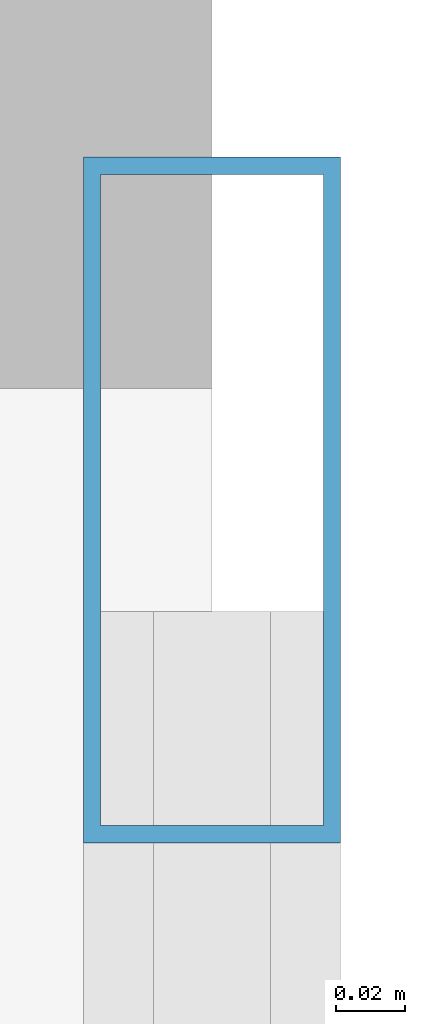
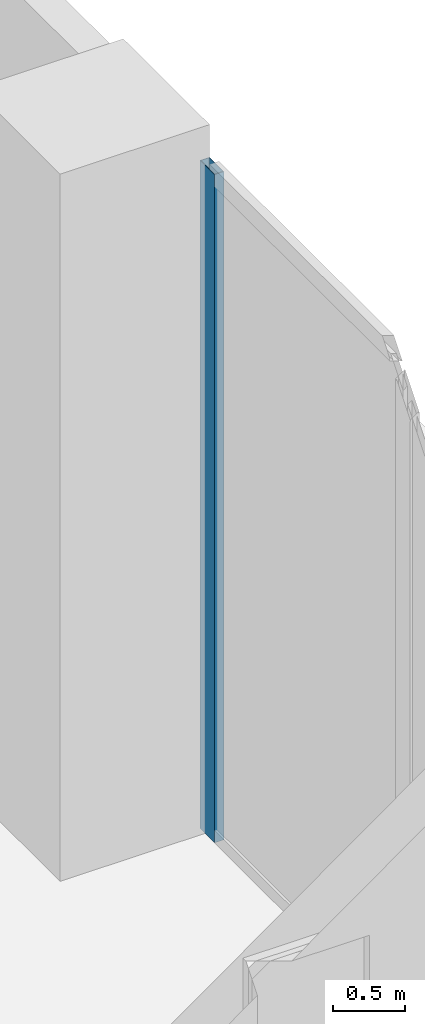
# One storey, part 15 of 26: 1 member, 1 element without a shape of its own.
"""IFC4 building model written with IfcOpenShell, lengths in metres."""

from ifc_helpers import new_model, si_unit, direction, frame, origin, origin_2d, place, context, subcontext, project, spatial, hollow_rectangle, extrude, material, layer, layer_set, material_profile, profile_set, type_object, element, aggregate, save


model = new_model("IFC4")

# Units and contexts
model_context = context("Model", 3, precision=1e-05, world=origin(), true_north=direction((0.0, 1.0)))
body_context = subcontext(model_context, "Body", "Model", "MODEL_VIEW")
ifc_project = project(units=[si_unit("LENGTHUNIT", "METRE"), si_unit("AREAUNIT", "SQUARE_METRE"), si_unit("VOLUMEUNIT", "CUBIC_METRE"), si_unit("PLANEANGLEUNIT", "RADIAN"), si_unit("MASSUNIT", "GRAM", prefix="KILO")], contexts=[model_context])

# Site, building, storey
site_placement = place(None, origin())
site = spatial("IfcSite", under=ifc_project, at=site_placement, CompositionType="ELEMENT")
building_placement = place(site_placement, origin())
building = spatial("IfcBuilding", under=site, at=building_placement, Name="Catumbela Crestline Tower", CompositionType="ELEMENT")
storey_placement = place(building_placement, origin())
storey = spatial("IfcBuildingStorey", under=building, at=storey_placement, Name="L00", CompositionType="ELEMENT", Elevation=0.0)

# Curtain wall, member
ifc_material = material(Name="Aluminium alloy AW-6060-T66", Category="aluminium")
ifc_layer = layer(ifc_material, 0.18, Name="Aluminium alloy AW-6060-T66")
ifc_layer_set = layer_set([ifc_layer], Name="Aluminium alloy AW-6060-T66")
curtain_wall_type = type_object("IfcCurtainWallType", Name="CWS-POD", PredefinedType="USERDEFINED", material=ifc_layer_set)
curtain_wall_placement = place(storey_placement, origin())
curtain_wall = element("IfcCurtainWall", 1, at=curtain_wall_placement, inside=storey, type_object=curtain_wall_type, Name="L00 Stick Curtain Wall CW-L00-E5S3", ObjectType="STICK", PredefinedType="USERDEFINED")
ifc_material_profile = material_profile(ifc_material, hollow_rectangle(XDim=0.075, YDim=0.2, WallThickness=0.005, at=origin_2d()), Name="ALU 200x75x5")
ifc_profile_set = profile_set([ifc_material_profile], Name="Aluminium alloy AW-6060-T66")
member_type = type_object("IfcMemberType", Name="MUL-200X75", PredefinedType="MULLION", material=ifc_profile_set)
member_placement = place(storey_placement, frame((56.0, 41.6675, 0.0), z_axis=(0.0, 0.0, 1.0), x_axis=(-1.0, 0.0, 0.0)))
member = element("IfcMember", 2, at=member_placement, type_object=member_type, Name="CWS-POD mullion 3", PredefinedType="MULLION", context=body_context, shape_type="SweptSolid", body=[
    extrude(hollow_rectangle(XDim=0.075, YDim=0.2, WallThickness=0.005, at=origin_2d()), origin(), (0.0, 0.0, 1.0), 5.67),
])
aggregate(curtain_wall, [member])

save(model, "model.ifc")
